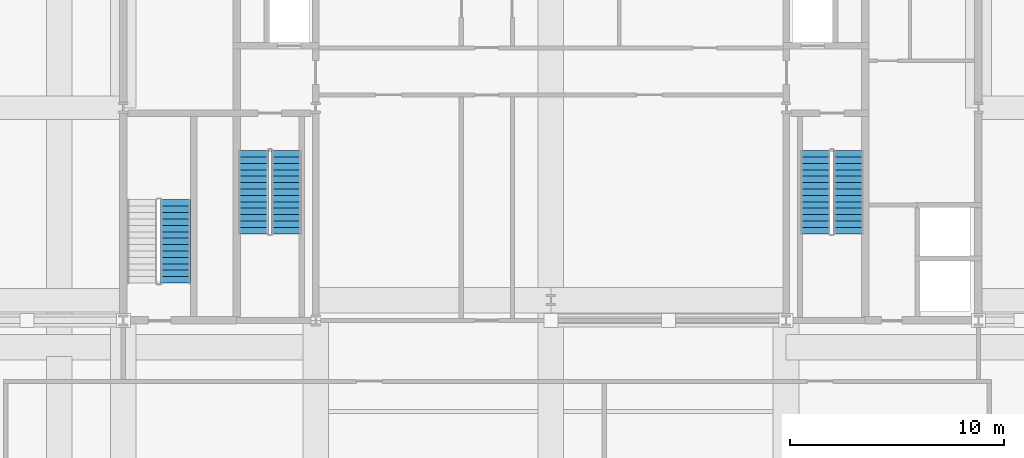
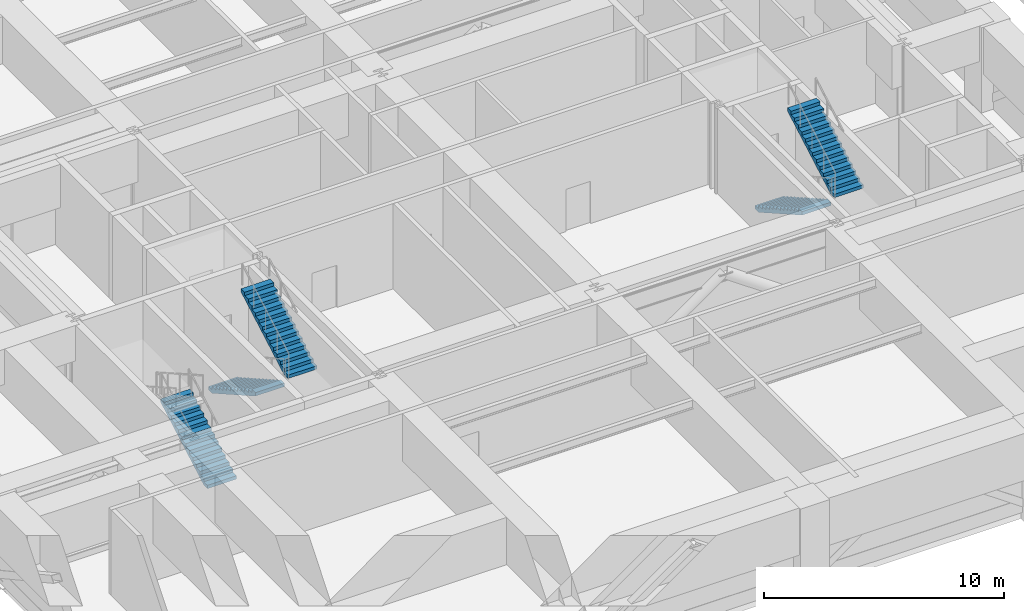
# One storey, part 6 of 10: 5 stair flights, 3 elements without a shape of their own.
"""IFC4 building model written with IfcOpenShell, lengths in metres."""

from ifc_helpers import new_model, si_unit, direction, frame, origin, place, context, subcontext, project, spatial, polyline, outline, extrude, material, layer, layer_set, type_object, element, aggregate, save


model = new_model("IFC4")

# Units and contexts
model_context = context("Model", 3, precision=1e-05, world=origin(), true_north=direction((0.0, 1.0)))
body_context = subcontext(model_context, "Body", "Model", "MODEL_VIEW")
ifc_project = project(units=[si_unit("LENGTHUNIT", "METRE"), si_unit("AREAUNIT", "SQUARE_METRE"), si_unit("VOLUMEUNIT", "CUBIC_METRE"), si_unit("PLANEANGLEUNIT", "RADIAN"), si_unit("MASSUNIT", "GRAM", prefix="KILO")], contexts=[model_context])

# Site, building, storey
site_placement = place(None, origin())
site = spatial("IfcSite", under=ifc_project, at=site_placement, CompositionType="ELEMENT")
building_placement = place(site_placement, origin())
building = spatial("IfcBuilding", under=site, at=building_placement, Name="Zulmaris Gate Convention Tower", CompositionType="ELEMENT")
storey_placement = place(building_placement, frame((0.0, 0.0, 82.179931640625)))
storey = spatial("IfcBuildingStorey", under=building, at=storey_placement, Name="L20", CompositionType="ELEMENT", Elevation=82.179931640625)

# Stair, stair flights
ifc_material = material(Name="Concrete C45/55", Category="concrete")
stair_type = type_object("IfcStairType", Name="ST-CORE-DOGLEG", PredefinedType="HALF_TURN_STAIR", material=ifc_material)
stair_1_placement = place(storey_placement, origin())
stair_1 = element("IfcStair", 1, at=stair_1_placement, inside=storey, type_object=stair_type, Name="L20 Core Exit Stair ST-1", PredefinedType="HALF_TURN_STAIR")
ifc_layer = layer(ifc_material, 0.14990234375, Name="Concrete C45/55")
ifc_layer_set = layer_set([ifc_layer], Name="Concrete C45/55")
stair_flight_type = type_object("IfcStairFlightType", Name="STF-RC150", PredefinedType="STRAIGHT", material=ifc_layer_set)
stair_flight_1_placement = place(storey_placement, frame((-13.919921875, -2.0, 0.0), z_axis=(0.0, 0.0, 1.0), x_axis=(0.0, -1.0, 0.0)))
stair_flight_1 = element("IfcStairFlight", 2, at=stair_flight_1_placement, type_object=stair_flight_type, Name="ST-1 flight 1", NumberOfRisers=14, NumberOfTreads=13, PredefinedType="STRAIGHT", RiserHeight=0.17, TreadLength=0.3, context=body_context, shape_type="SweptSolid", body=[
    extrude(outline(polyline([(0.0, 0.0), (0.0, 0.169921875), (0.300048828125, 0.169921875), (0.300048828125, 0.340087890625), (0.60009765625, 0.340087890625), (0.60009765625, 0.510009765625), (0.89990234375, 0.510009765625), (0.89990234375, 0.679931640625), (1.199951171875, 0.679931640625), (1.199951171875, 0.85009765625), (1.5, 0.85009765625), (1.5, 1.02001953125), (1.800048828125, 1.02001953125), (1.800048828125, 1.18994140625), (2.10009765625, 1.18994140625), (2.10009765625, 1.360107421875), (2.39990234375, 1.360107421875), (2.39990234375, 1.530029296875), (2.699951171875, 1.530029296875), (2.699951171875, 1.699951171875), (3.0, 1.699951171875), (3.0, 1.8701171875), (3.300048828125, 1.8701171875), (3.300048828125, 2.0400390625), (3.60009765625, 2.0400390625), (3.60009765625, 2.2099609375), (3.89990234375, 2.2099609375), (3.89990234375, 2.3798828125), (3.89990234375, 2.03759765625), (0.303955078125, 0.0), (0.0, 0.0)])), frame((0.0, 0.699951171875, 0.0), z_axis=(0.0, -1.0, 0.0), x_axis=(1.0, 0.0, 0.0)), (0.0, 0.0, 1.0), 1.39990234375),
])
stair_flight_2_placement = place(storey_placement, frame((-12.360107421875, -5.89990234375, 2.3798828125), z_axis=(0.0, 0.0, 1.0), x_axis=(0.0, 1.0, 0.0)))
stair_flight_2 = element("IfcStairFlight", 3, at=stair_flight_2_placement, type_object=stair_flight_type, Name="ST-1 flight 2", NumberOfRisers=14, NumberOfTreads=13, PredefinedType="STRAIGHT", RiserHeight=0.17, TreadLength=0.3, context=body_context, shape_type="SweptSolid", body=[
    extrude(outline(polyline([(0.0, 0.0), (0.0, 0.169921875), (0.300048828125, 0.169921875), (0.300048828125, 0.340087890625), (0.60009765625, 0.340087890625), (0.60009765625, 0.510009765625), (0.89990234375, 0.510009765625), (0.89990234375, 0.679931640625), (1.199951171875, 0.679931640625), (1.199951171875, 0.85009765625), (1.5, 0.85009765625), (1.5, 1.02001953125), (1.800048828125, 1.02001953125), (1.800048828125, 1.18994140625), (2.10009765625, 1.18994140625), (2.10009765625, 1.360107421875), (2.39990234375, 1.360107421875), (2.39990234375, 1.530029296875), (2.699951171875, 1.530029296875), (2.699951171875, 1.699951171875), (3.0, 1.699951171875), (3.0, 1.8701171875), (3.300048828125, 1.8701171875), (3.300048828125, 2.0400390625), (3.60009765625, 2.0400390625), (3.60009765625, 2.2099609375), (3.89990234375, 2.2099609375), (3.89990234375, 2.3798828125), (3.89990234375, 2.03759765625), (0.303955078125, 0.0), (0.0, 0.0)])), frame((0.0, 0.699951171875, 0.0), z_axis=(0.0, -1.0, 0.0), x_axis=(1.0, 0.0, 0.0)), (0.0, 0.0, 1.0), 1.39990234375),
])
aggregate(stair_1, [stair_flight_1, stair_flight_2])

stair_2_placement = place(storey_placement, origin())
stair_2 = element("IfcStair", 4, at=stair_2_placement, inside=storey, type_object=stair_type, Name="L20 Core Exit Stair ST-2", PredefinedType="HALF_TURN_STAIR")
stair_flight_3_placement = place(storey_placement, frame((12.360107421875, -2.0, 0.0), z_axis=(0.0, 0.0, 1.0), x_axis=(0.0, -1.0, 0.0)))
stair_flight_3 = element("IfcStairFlight", 5, at=stair_flight_3_placement, type_object=stair_flight_type, Name="ST-2 flight 1", NumberOfRisers=14, NumberOfTreads=13, PredefinedType="STRAIGHT", RiserHeight=0.17, TreadLength=0.3, context=body_context, shape_type="SweptSolid", body=[
    extrude(outline(polyline([(0.0, 0.0), (0.0, 0.169921875), (0.300048828125, 0.169921875), (0.300048828125, 0.340087890625), (0.60009765625, 0.340087890625), (0.60009765625, 0.510009765625), (0.89990234375, 0.510009765625), (0.89990234375, 0.679931640625), (1.199951171875, 0.679931640625), (1.199951171875, 0.85009765625), (1.5, 0.85009765625), (1.5, 1.02001953125), (1.800048828125, 1.02001953125), (1.800048828125, 1.18994140625), (2.10009765625, 1.18994140625), (2.10009765625, 1.360107421875), (2.39990234375, 1.360107421875), (2.39990234375, 1.530029296875), (2.699951171875, 1.530029296875), (2.699951171875, 1.699951171875), (3.0, 1.699951171875), (3.0, 1.8701171875), (3.300048828125, 1.8701171875), (3.300048828125, 2.0400390625), (3.60009765625, 2.0400390625), (3.60009765625, 2.2099609375), (3.89990234375, 2.2099609375), (3.89990234375, 2.3798828125), (3.89990234375, 2.03759765625), (0.303955078125, 0.0), (0.0, 0.0)])), frame((0.0, 0.699951171875, 0.0), z_axis=(0.0, -1.0, 0.0), x_axis=(1.0, 0.0, 0.0)), (0.0, 0.0, 1.0), 1.39990234375),
])
stair_flight_4_placement = place(storey_placement, frame((13.919921875, -5.89990234375, 2.3798828125), z_axis=(0.0, 0.0, 1.0), x_axis=(0.0, 1.0, 0.0)))
stair_flight_4 = element("IfcStairFlight", 6, at=stair_flight_4_placement, type_object=stair_flight_type, Name="ST-2 flight 2", NumberOfRisers=14, NumberOfTreads=13, PredefinedType="STRAIGHT", RiserHeight=0.17, TreadLength=0.3, context=body_context, shape_type="SweptSolid", body=[
    extrude(outline(polyline([(0.0, 0.0), (0.0, 0.169921875), (0.300048828125, 0.169921875), (0.300048828125, 0.340087890625), (0.60009765625, 0.340087890625), (0.60009765625, 0.510009765625), (0.89990234375, 0.510009765625), (0.89990234375, 0.679931640625), (1.199951171875, 0.679931640625), (1.199951171875, 0.85009765625), (1.5, 0.85009765625), (1.5, 1.02001953125), (1.800048828125, 1.02001953125), (1.800048828125, 1.18994140625), (2.10009765625, 1.18994140625), (2.10009765625, 1.360107421875), (2.39990234375, 1.360107421875), (2.39990234375, 1.530029296875), (2.699951171875, 1.530029296875), (2.699951171875, 1.699951171875), (3.0, 1.699951171875), (3.0, 1.8701171875), (3.300048828125, 1.8701171875), (3.300048828125, 2.0400390625), (3.60009765625, 2.0400390625), (3.60009765625, 2.2099609375), (3.89990234375, 2.2099609375), (3.89990234375, 2.3798828125), (3.89990234375, 2.03759765625), (0.303955078125, 0.0), (0.0, 0.0)])), frame((0.0, 0.699951171875, 0.0), z_axis=(0.0, -1.0, 0.0), x_axis=(1.0, 0.0, 0.0)), (0.0, 0.0, 1.0), 1.39990234375),
])
aggregate(stair_2, [stair_flight_3, stair_flight_4])

# Stair, stair flight
stair_3_placement = place(storey_placement, origin())
stair_3 = element("IfcStair", 7, at=stair_3_placement, inside=storey, type_object=stair_type, Name="L20 Core Exit Stair ST-3", PredefinedType="HALF_TURN_STAIR")
stair_flight_5_placement = place(storey_placement, frame((-17.56005859375, -8.199951171875, 0.0), z_axis=(0.0, 0.0, 1.0), x_axis=(0.0, 1.0, 0.0)))
stair_flight_5 = element("IfcStairFlight", 8, at=stair_flight_5_placement, type_object=stair_flight_type, Name="ST-3 flight 1", NumberOfRisers=14, NumberOfTreads=13, PredefinedType="STRAIGHT", RiserHeight=0.17, TreadLength=0.3, context=body_context, shape_type="SweptSolid", body=[
    extrude(outline(polyline([(0.0, 0.0), (0.0, 0.169921875), (0.300048828125, 0.169921875), (0.300048828125, 0.340087890625), (0.60009765625, 0.340087890625), (0.60009765625, 0.510009765625), (0.89990234375, 0.510009765625), (0.89990234375, 0.679931640625), (1.199951171875, 0.679931640625), (1.199951171875, 0.85009765625), (1.5, 0.85009765625), (1.5, 1.02001953125), (1.800048828125, 1.02001953125), (1.800048828125, 1.18994140625), (2.10009765625, 1.18994140625), (2.10009765625, 1.360107421875), (2.39990234375, 1.360107421875), (2.39990234375, 1.530029296875), (2.699951171875, 1.530029296875), (2.699951171875, 1.699951171875), (3.0, 1.699951171875), (3.0, 1.8701171875), (3.300048828125, 1.8701171875), (3.300048828125, 2.0400390625), (3.60009765625, 2.0400390625), (3.60009765625, 2.2099609375), (3.89990234375, 2.2099609375), (3.89990234375, 2.3798828125), (3.89990234375, 2.03759765625), (0.303955078125, 0.0), (0.0, 0.0)])), frame((0.0, 0.699951171875, 0.0), z_axis=(0.0, -1.0, 0.0), x_axis=(1.0, 0.0, 0.0)), (0.0, 0.0, 1.0), 1.39990234375),
])
aggregate(stair_3, [stair_flight_5])

save(model, "model.ifc")
